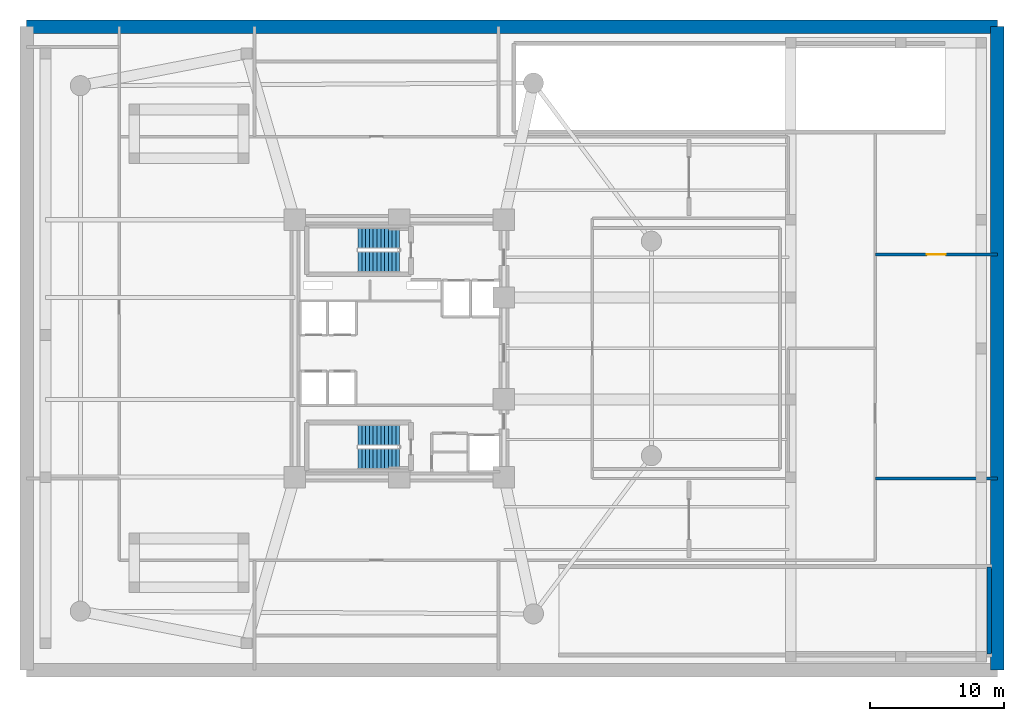
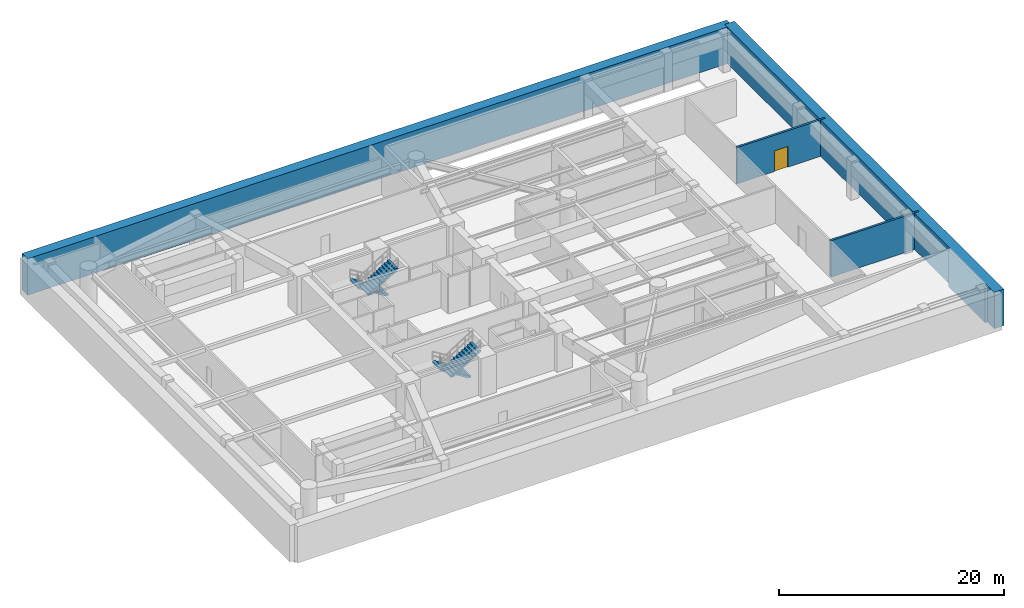
# One storey, part 6 of 7: 5 walls, 4 stair flights, 1 door, 1 opening, 2 elements without a shape of their own.
"""IFC4 building model written with IfcOpenShell, lengths in metres."""

from ifc_helpers import new_model, si_unit, direction, frame, frame_2d, origin, place, context, subcontext, project, spatial, polyline, rectangle, outline, extrude, material, layer, layer_set, type_object, element, fill, aggregate, save


model = new_model("IFC4")

# Units and contexts
model_context = context("Model", 3, precision=1e-05, world=origin(), true_north=direction((0.0, 1.0)))
body_context = subcontext(model_context, "Body", "Model", "MODEL_VIEW")
ifc_project = project(units=[si_unit("LENGTHUNIT", "METRE"), si_unit("AREAUNIT", "SQUARE_METRE"), si_unit("VOLUMEUNIT", "CUBIC_METRE"), si_unit("PLANEANGLEUNIT", "RADIAN"), si_unit("MASSUNIT", "GRAM", prefix="KILO")], contexts=[model_context])

# Site, building, storey
site_placement = place(None, origin())
site = spatial("IfcSite", under=ifc_project, at=site_placement, CompositionType="ELEMENT")
building_placement = place(site_placement, origin())
building = spatial("IfcBuilding", under=site, at=building_placement, Name="An Khanh Terracotta Commons", CompositionType="ELEMENT")
storey_placement = place(building_placement, frame((0.0, 0.0, -4.199951171875)))
storey = spatial("IfcBuildingStorey", under=building, at=storey_placement, Name="B01", CompositionType="ELEMENT", Elevation=-4.199951171875)

# Walls
ifc_material_1 = material(Name="Concrete C50/60", Category="concrete")
ifc_layer_1 = layer(ifc_material_1, 1.0, Name="Concrete C50/60")
ifc_layer_set_1 = layer_set([ifc_layer_1], Name="Concrete C50/60")
wall_type_1 = type_object("IfcWallType", Name="WALL-DIAPH-1000", PredefinedType="SOLIDWALL", material=ifc_layer_set_1)
wall_1_placement = place(storey_placement, frame((74.0, 0.0, 0.0), z_axis=(0.0, 0.0, 1.0), x_axis=(0.0, 1.0, 0.0)))
element("IfcWall", 1, at=wall_1_placement, inside=storey, type_object=wall_type_1, Name="B01 Perimeter Diaphragm Wall 2", PredefinedType="SOLIDWALL", context=body_context, shape_type="SweptSolid", body=[
    extrude(rectangle(XDim=48.0, YDim=1.0, at=frame_2d((24.0, 0.0))), origin(), (0.0, 0.0, 1.0), 3.9599609375),
])
wall_2_placement = place(storey_placement, frame((74.0, 48.0, 0.0), z_axis=(0.0, 0.0, 1.0), x_axis=(-1.0, 0.0, 0.0)))
element("IfcWall", 2, at=wall_2_placement, inside=storey, type_object=wall_type_1, Name="B01 Perimeter Diaphragm Wall 3", PredefinedType="SOLIDWALL", context=body_context, shape_type="SweptSolid", body=[
    extrude(rectangle(XDim=72.39990234375, YDim=1.0, at=frame_2d((36.199951171875, 0.0))), origin(), (0.0, 0.0, 1.0), 3.9599609375),
])
ifc_material_2 = material(Name="Acoustic Double-Stud Gypsum and Mineral Wool")
ifc_layer_2 = layer(ifc_material_2, 0.219970703125, Name="Acoustic Double-Stud Gypsum and Mineral Wool")
ifc_layer_set_2 = layer_set([ifc_layer_2], Name="Acoustic Double-Stud Gypsum and Mineral Wool")
wall_type_2 = type_object("IfcWallType", Name="WALL-PARTY-220", PredefinedType="PARTITIONING", material=ifc_layer_set_2)
wall_3_placement = place(storey_placement, frame((64.89990234375, 14.300048828125, 0.0), z_axis=(0.0, 0.0, 1.0), x_axis=(1.0, 0.0, 0.0)))
element("IfcWall", 3, at=wall_3_placement, inside=storey, type_object=wall_type_2, Name="B01 Interior Partition IW-B01-E005", PredefinedType="PARTITIONING", context=body_context, shape_type="SweptSolid", body=[
    extrude(rectangle(XDim=9.10009765625, YDim=0.219970703125, at=frame_2d((4.550048828125, 0.0))), origin(), (0.0, 0.0, 1.0), 3.9599609375),
])

# Wall, opening, door
wall_4_placement = place(storey_placement, frame((64.89990234375, 31.0, 0.0), z_axis=(0.0, 0.0, 1.0), x_axis=(1.0, 0.0, 0.0)))
wall_4 = element("IfcWall", 4, at=wall_4_placement, inside=storey, type_object=wall_type_2, Name="B01 Interior Partition IW-B01-E008", PredefinedType="PARTITIONING", context=body_context, shape_type="SweptSolid", body=[
    extrude(rectangle(XDim=9.10009765625, YDim=0.219970703125, at=frame_2d((4.550048828125, 0.0))), origin(), (0.0, 0.0, 1.0), 3.9599609375),
])
opening_placement = place(wall_4_placement, frame((3.85009765625, 0.0, 0.0)))
opening = element("IfcOpeningElement", 5, at=opening_placement, cuts=wall_4, Name="Opening D-PL", PredefinedType="OPENING", context=body_context, shape_type="SweptSolid", body=[
    extrude(rectangle(XDim=1.39990234375, YDim=2.25, at=frame_2d((0.699951171875, 1.125))), frame((0.0, 0.119873046875, 0.0), z_axis=(0.0, -1.0, 0.0), x_axis=(1.0, 0.0, 0.0)), (0.0, 0.0, 1.0), 0.239990234375),
])
ifc_material_3 = material(Name="Heavy-Duty Acoustic Steel Double Plant Door", Category="steel")
door_type = type_object("IfcDoorType", Name="DOOR-PLANT-1400", OperationType="NOTDEFINED", PredefinedType="DOOR", material=ifc_material_3)
door_placement = place(opening_placement, origin())
door = element("IfcDoor", 6, at=door_placement, inside=storey, type_object=door_type, Name="B01 GEN Life-Safety Standby Generator Room Door", OperationType="DOUBLE_DOOR_SINGLE_SWING", OverallHeight=2.25, OverallWidth=1.39990234375, PredefinedType="DOOR", context=body_context, shape_type="SweptSolid", body=[
    extrude(rectangle(XDim=1.39990234375, YDim=2.25, at=frame_2d((0.699951171875, 1.125))), frame((0.0, 0.02490234375, 0.0), z_axis=(0.0, -1.0, 0.0), x_axis=(1.0, 0.0, 0.0)), (0.0, 0.0, 1.0), 0.050048828125),
])
fill(opening, door)

# Wall
ifc_material_4 = material(Name="Concrete C40/50", Category="concrete")
ifc_layer_3 = layer(ifc_material_4, 0.300048828125, Name="Concrete C40/50")
ifc_layer_set_3 = layer_set([ifc_layer_3], Name="Concrete C40/50")
wall_type_3 = type_object("IfcWallType", Name="WALL-RAMP-300", PredefinedType="SOLIDWALL", material=ifc_layer_set_3)
wall_5_placement = place(storey_placement, frame((73.39990234375, 1.199951171875, 0.0), z_axis=(0.0, 0.0, 1.0), x_axis=(0.0, 1.0, 0.0)))
element("IfcWall", 7, at=wall_5_placement, inside=storey, type_object=wall_type_3, Name="B01 Ramp Top Bearing Wall", PredefinedType="SOLIDWALL", context=body_context, shape_type="SweptSolid", body=[
    extrude(rectangle(XDim=6.5, YDim=0.300048828125, at=frame_2d((3.25, 0.0))), origin(), (0.0, 0.0, 1.0), 3.919921875),
])

# Stair, stair flights
ifc_material_5 = material(Name="Precast concrete C40/50", Category="concrete")
stair_type = type_object("IfcStairType", Name="STAIR-CORE-1550", PredefinedType="HALF_TURN_STAIR", material=ifc_material_5)
stair_1_placement = place(storey_placement, origin())
stair_1 = element("IfcStair", 8, at=stair_1_placement, inside=storey, type_object=stair_type, Name="B01 Core Smokeproof Exit Stair ST-01", PredefinedType="HALF_TURN_STAIR")
stair_flight_type = type_object("IfcStairFlightType", Name="FLIGHT-CORE-1550", PredefinedType="STRAIGHT", material=ifc_material_5)
stair_flight_1_placement = place(storey_placement, frame((29.409912109375, 32.22509765625, 0.0), z_axis=(0.0, 0.0, 1.0), x_axis=(-1.0, 0.0, 0.0)))
stair_flight_1 = element("IfcStairFlight", 9, at=stair_flight_1_placement, type_object=stair_flight_type, Name="ST-01 flight 1", NumberOfRisers=12, NumberOfTreads=11, PredefinedType="STRAIGHT", RiserHeight=0.175, TreadLength=0.28, context=body_context, shape_type="SweptSolid", body=[
    extrude(outline(polyline([(0.0, 0.0), (0.0, 0.175048828125), (0.280029296875, 0.175048828125), (0.280029296875, 0.35009765625), (0.56005859375, 0.35009765625), (0.56005859375, 0.52490234375), (0.840087890625, 0.52490234375), (0.840087890625, 0.699951171875), (1.1201171875, 0.699951171875), (1.1201171875, 0.875), (1.39990234375, 0.875), (1.39990234375, 1.050048828125), (1.679931640625, 1.050048828125), (1.679931640625, 1.22509765625), (1.9599609375, 1.22509765625), (1.9599609375, 1.39990234375), (2.239990234375, 1.39990234375), (2.239990234375, 1.574951171875), (2.52001953125, 1.574951171875), (2.52001953125, 1.75), (2.800048828125, 1.75), (2.800048828125, 1.925048828125), (3.080078125, 1.925048828125), (3.080078125, 2.10009765625), (3.080078125, 1.748291015625), (0.28271484375, 0.0), (0.0, 0.0)])), frame((0.0, 0.77490234375, 0.0), z_axis=(0.0, -1.0, 0.0), x_axis=(1.0, 0.0, 0.0)), (0.0, 0.0, 1.0), 1.550048828125),
])
stair_flight_2_placement = place(storey_placement, frame((26.330078125, 30.47509765625, 2.099853515625), z_axis=(0.0, 0.0, 1.0), x_axis=(1.0, 0.0, 0.0)))
stair_flight_2 = element("IfcStairFlight", 10, at=stair_flight_2_placement, type_object=stair_flight_type, Name="ST-01 flight 2", NumberOfRisers=12, NumberOfTreads=11, PredefinedType="STRAIGHT", RiserHeight=0.175, TreadLength=0.28, context=body_context, shape_type="SweptSolid", body=[
    extrude(outline(polyline([(0.0, 0.0), (0.0, 0.175048828125), (0.280029296875, 0.175048828125), (0.280029296875, 0.35009765625), (0.56005859375, 0.35009765625), (0.56005859375, 0.52490234375), (0.840087890625, 0.52490234375), (0.840087890625, 0.699951171875), (1.1201171875, 0.699951171875), (1.1201171875, 0.875), (1.39990234375, 0.875), (1.39990234375, 1.050048828125), (1.679931640625, 1.050048828125), (1.679931640625, 1.22509765625), (1.9599609375, 1.22509765625), (1.9599609375, 1.39990234375), (2.239990234375, 1.39990234375), (2.239990234375, 1.574951171875), (2.52001953125, 1.574951171875), (2.52001953125, 1.75), (2.800048828125, 1.75), (2.800048828125, 1.925048828125), (3.080078125, 1.925048828125), (3.080078125, 2.10009765625), (3.080078125, 1.748291015625), (0.28271484375, 0.0), (0.0, 0.0)])), frame((0.0, 0.77490234375, 0.0), z_axis=(0.0, -1.0, 0.0), x_axis=(1.0, 0.0, 0.0)), (0.0, 0.0, 1.0), 1.550048828125),
])
aggregate(stair_1, [stair_flight_1, stair_flight_2])

stair_2_placement = place(storey_placement, origin())
stair_2 = element("IfcStair", 11, at=stair_2_placement, inside=storey, type_object=stair_type, Name="B01 Core Smokeproof Exit Stair ST-02", PredefinedType="HALF_TURN_STAIR")
stair_flight_3_placement = place(storey_placement, frame((29.409912109375, 17.52490234375, 0.0), z_axis=(0.0, 0.0, 1.0), x_axis=(-1.0, 0.0, 0.0)))
stair_flight_3 = element("IfcStairFlight", 12, at=stair_flight_3_placement, type_object=stair_flight_type, Name="ST-02 flight 1", NumberOfRisers=12, NumberOfTreads=11, PredefinedType="STRAIGHT", RiserHeight=0.175, TreadLength=0.28, context=body_context, shape_type="SweptSolid", body=[
    extrude(outline(polyline([(0.0, 0.0), (0.0, 0.175048828125), (0.280029296875, 0.175048828125), (0.280029296875, 0.35009765625), (0.56005859375, 0.35009765625), (0.56005859375, 0.52490234375), (0.840087890625, 0.52490234375), (0.840087890625, 0.699951171875), (1.1201171875, 0.699951171875), (1.1201171875, 0.875), (1.39990234375, 0.875), (1.39990234375, 1.050048828125), (1.679931640625, 1.050048828125), (1.679931640625, 1.22509765625), (1.9599609375, 1.22509765625), (1.9599609375, 1.39990234375), (2.239990234375, 1.39990234375), (2.239990234375, 1.574951171875), (2.52001953125, 1.574951171875), (2.52001953125, 1.75), (2.800048828125, 1.75), (2.800048828125, 1.925048828125), (3.080078125, 1.925048828125), (3.080078125, 2.10009765625), (3.080078125, 1.748291015625), (0.28271484375, 0.0), (0.0, 0.0)])), frame((0.0, 0.77490234375, 0.0), z_axis=(0.0, -1.0, 0.0), x_axis=(1.0, 0.0, 0.0)), (0.0, 0.0, 1.0), 1.550048828125),
])
stair_flight_4_placement = place(storey_placement, frame((26.330078125, 15.77490234375, 2.099853515625), z_axis=(0.0, 0.0, 1.0), x_axis=(1.0, 0.0, 0.0)))
stair_flight_4 = element("IfcStairFlight", 13, at=stair_flight_4_placement, type_object=stair_flight_type, Name="ST-02 flight 2", NumberOfRisers=12, NumberOfTreads=11, PredefinedType="STRAIGHT", RiserHeight=0.175, TreadLength=0.28, context=body_context, shape_type="SweptSolid", body=[
    extrude(outline(polyline([(0.0, 0.0), (0.0, 0.175048828125), (0.280029296875, 0.175048828125), (0.280029296875, 0.35009765625), (0.56005859375, 0.35009765625), (0.56005859375, 0.52490234375), (0.840087890625, 0.52490234375), (0.840087890625, 0.699951171875), (1.1201171875, 0.699951171875), (1.1201171875, 0.875), (1.39990234375, 0.875), (1.39990234375, 1.050048828125), (1.679931640625, 1.050048828125), (1.679931640625, 1.22509765625), (1.9599609375, 1.22509765625), (1.9599609375, 1.39990234375), (2.239990234375, 1.39990234375), (2.239990234375, 1.574951171875), (2.52001953125, 1.574951171875), (2.52001953125, 1.75), (2.800048828125, 1.75), (2.800048828125, 1.925048828125), (3.080078125, 1.925048828125), (3.080078125, 2.10009765625), (3.080078125, 1.748291015625), (0.28271484375, 0.0), (0.0, 0.0)])), frame((0.0, 0.77490234375, 0.0), z_axis=(0.0, -1.0, 0.0), x_axis=(1.0, 0.0, 0.0)), (0.0, 0.0, 1.0), 1.550048828125),
])
aggregate(stair_2, [stair_flight_3, stair_flight_4])

save(model, "model.ifc")
